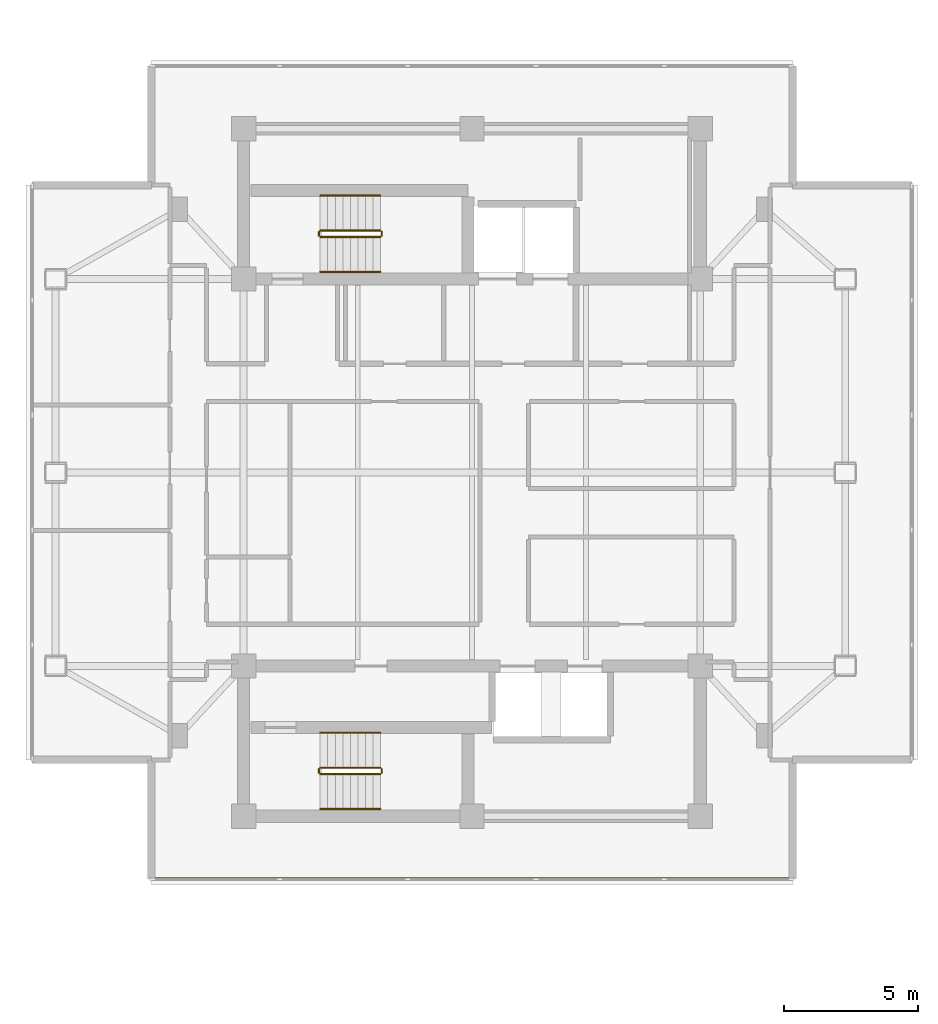
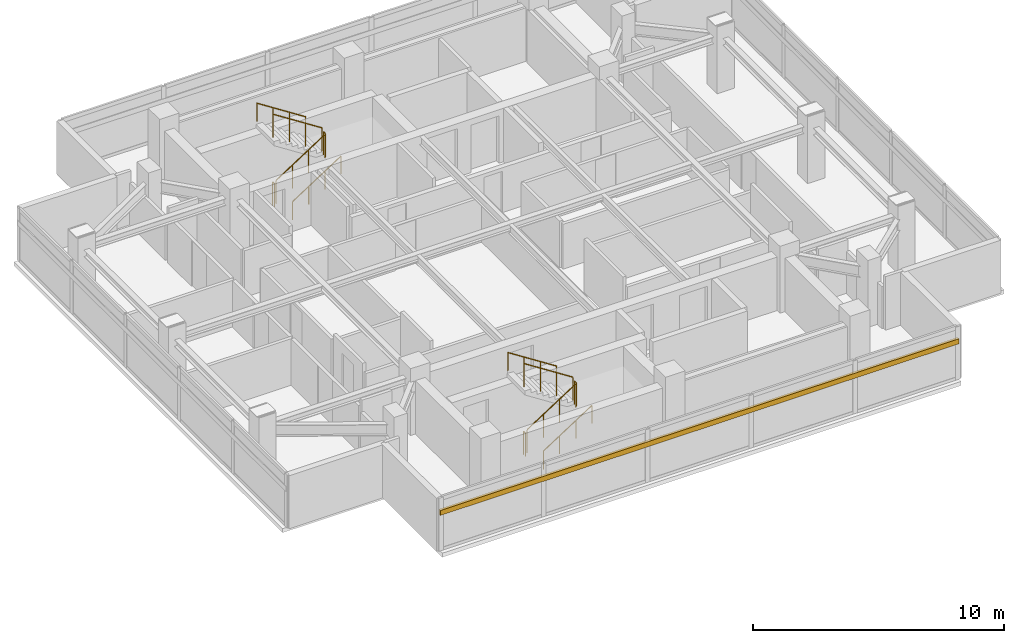
# One storey, part 20 of 21: 12 railings, 1 shading device.
"""IFC4 building model written with IfcOpenShell, lengths in metres."""

from ifc_helpers import new_model, si_unit, direction, frame, origin, origin_2d, place, context, subcontext, project, spatial, rectangle, circle, extrude, material, material_profile, profile_set, type_object, element, save


model = new_model("IFC4")

# Units and contexts
model_context = context("Model", 3, precision=1e-05, world=origin(), true_north=direction((0.0, 1.0)))
body_context = subcontext(model_context, "Body", "Model", "MODEL_VIEW")
ifc_project = project(units=[si_unit("LENGTHUNIT", "METRE"), si_unit("AREAUNIT", "SQUARE_METRE"), si_unit("VOLUMEUNIT", "CUBIC_METRE"), si_unit("PLANEANGLEUNIT", "RADIAN"), si_unit("MASSUNIT", "GRAM", prefix="KILO")], contexts=[model_context])

# Site, building, storey
site_placement = place(None, origin())
site = spatial("IfcSite", under=ifc_project, at=site_placement, CompositionType="ELEMENT")
building_placement = place(site_placement, origin())
building = spatial("IfcBuilding", under=site, at=building_placement, Name="Mirazonda Arch Towers", CompositionType="ELEMENT")
storey_placement = place(building_placement, frame((0.0, 0.0, 206.39990234375)))
storey = spatial("IfcBuildingStorey", under=building, at=storey_placement, Name="L59", CompositionType="ELEMENT", Elevation=206.39990234375)

# Shading device
ifc_material_1 = material(Name="Kiln-Fired Architectural Terracotta", Category="masonry")
ifc_material_profile = material_profile(ifc_material_1, rectangle(XDim=0.1201171875, YDim=0.239990234375, at=origin_2d()), Name="TERRA-BAG-120x240")
ifc_profile_set = profile_set([ifc_material_profile], Name="Kiln-Fired Architectural Terracotta")
shading_device_type = type_object("IfcShadingDeviceType", Name="BAGUETTE-1", PredefinedType="USERDEFINED", material=ifc_profile_set)
shading_device_placement = place(storey_placement, frame((88.437744140625, 12.861572265625, 1.857666015625), z_axis=(-1.0, 0.0, 0.0), x_axis=(0.0, -1.0, 0.0)))
element("IfcShadingDevice", 1, at=shading_device_placement, inside=storey, type_object=shading_device_type, Name="L59 Glazed Terracotta Sun-Screen Baguette CW-L59-T2-S", ObjectType="BAGUETTE", PredefinedType="USERDEFINED", context=body_context, shape_type="SweptSolid", body=[
    extrude(rectangle(XDim=0.1201171875, YDim=0.239990234375, at=origin_2d()), origin(), (0.0, 0.0, 1.0), 23.87548828125),
])

# Railings
ifc_material_2 = material(Name="Architectural Brushed Steel S355", Category="steel")
railing_type_1 = type_object("IfcRailingType", Name="GUARD-STAIR-1120", PredefinedType="GUARDRAIL", material=ifc_material_2)
railing_1_placement = place(storey_placement, frame((70.85009765625, 36.77001953125, 0.1806640625)))
element("IfcRailing", 2, at=railing_1_placement, inside=storey, type_object=railing_type_1, Name="L59 ST-T2N stair guard 1", PredefinedType="GUARDRAIL", context=body_context, shape_type="SweptSolid", body=[
    extrude(circle(Radius=0.02392578125, at=origin_2d()), frame((0.0, 0.0, 1.1259765625), z_axis=(0.840436612492, 0.0, 0.541909863706), x_axis=(0.0, 1.0, 0.0)), (0.0, 0.0, 1.0), 2.665283203125),
    extrude(circle(Radius=0.02099609375, at=origin_2d()), origin(), (0.0, 0.0, 1.0), 1.101806640625),
    extrude(circle(Radius=0.02099609375, at=origin_2d()), frame((0.74658203125, 0.0, 0.4814453125)), (0.0, 0.0, 1.0), 1.101806640625),
    extrude(circle(Radius=0.02099609375, at=origin_2d()), frame((1.493408203125, 0.0, 0.962890625)), (0.0, 0.0, 1.0), 1.101806640625),
    extrude(circle(Radius=0.02099609375, at=origin_2d()), frame((2.239990234375, 0.0, 1.4443359375)), (0.0, 0.0, 1.0), 1.101806640625),
])
railing_2_placement = place(storey_placement, frame((73.139892578125, 36.820068359375, 1.625)))
element("IfcRailing", 3, at=railing_2_placement, inside=storey, type_object=railing_type_1, Name="L59 ST-T2N stair guard 2", PredefinedType="GUARDRAIL", context=body_context, shape_type="SweptSolid", body=[
    extrude(circle(Radius=0.02392578125, at=origin_2d()), frame((0.0, 0.0, 1.1259765625), z_axis=(0.0, 1.0, 0.0), x_axis=(-1.0, 0.0, 0.0)), (0.0, 0.0, 1.0), 0.139892578125),
    extrude(circle(Radius=0.02099609375, at=origin_2d()), origin(), (0.0, 0.0, 1.0), 1.101806640625),
    extrude(circle(Radius=0.02099609375, at=origin_2d()), frame((0.0, 0.139892578125, 0.0)), (0.0, 0.0, 1.0), 1.101806640625),
])
railing_3_placement = place(storey_placement, frame((73.090087890625, 37.010009765625, 1.8056640625)))
element("IfcRailing", 4, at=railing_3_placement, inside=storey, type_object=railing_type_1, Name="L59 ST-T2N stair guard 3", PredefinedType="GUARDRAIL", context=body_context, shape_type="SweptSolid", body=[
    extrude(circle(Radius=0.02392578125, at=origin_2d()), frame((0.0, 0.0, 1.1259765625), z_axis=(-0.840436612492, 0.0, 0.541909863706), x_axis=(0.0, -1.0, 0.0)), (0.0, 0.0, 1.0), 2.665283203125),
    extrude(circle(Radius=0.02099609375, at=origin_2d()), origin(), (0.0, 0.0, 1.0), 1.101806640625),
    extrude(circle(Radius=0.02099609375, at=origin_2d()), frame((-0.74658203125, 0.0, 0.4814453125)), (0.0, 0.0, 1.0), 1.101806640625),
    extrude(circle(Radius=0.02099609375, at=origin_2d()), frame((-1.493408203125, 0.0, 0.962890625)), (0.0, 0.0, 1.0), 1.101806640625),
    extrude(circle(Radius=0.02099609375, at=origin_2d()), frame((-2.239990234375, 0.0, 1.4443359375)), (0.0, 0.0, 1.0), 1.101806640625),
])
railing_4_placement = place(storey_placement, frame((70.800048828125, 36.820068359375, 0.0)))
element("IfcRailing", 5, at=railing_4_placement, inside=storey, type_object=railing_type_1, Name="L59 ST-T2N stair guard 4", PredefinedType="GUARDRAIL", context=body_context, shape_type="SweptSolid", body=[
    extrude(circle(Radius=0.02392578125, at=origin_2d()), frame((0.0, 0.0, 1.1259765625), z_axis=(0.0, 1.0, 0.0), x_axis=(-1.0, 0.0, 0.0)), (0.0, 0.0, 1.0), 0.139892578125),
    extrude(circle(Radius=0.02099609375, at=origin_2d()), origin(), (0.0, 0.0, 1.0), 1.101806640625),
    extrude(circle(Radius=0.02099609375, at=origin_2d()), frame((0.0, 0.139892578125, 0.0)), (0.0, 0.0, 1.0), 1.101806640625),
])
railing_5_placement = place(storey_placement, frame((70.85009765625, 16.77001953125, 0.1806640625)))
element("IfcRailing", 6, at=railing_5_placement, inside=storey, type_object=railing_type_1, Name="L59 ST-T2S stair guard 1", PredefinedType="GUARDRAIL", context=body_context, shape_type="SweptSolid", body=[
    extrude(circle(Radius=0.02392578125, at=origin_2d()), frame((0.0, 0.0, 1.1259765625), z_axis=(0.840436612492, 0.0, 0.541909863706), x_axis=(0.0, 1.0, 0.0)), (0.0, 0.0, 1.0), 2.665283203125),
    extrude(circle(Radius=0.02099609375, at=origin_2d()), origin(), (0.0, 0.0, 1.0), 1.101806640625),
    extrude(circle(Radius=0.02099609375, at=origin_2d()), frame((0.74658203125, 0.0, 0.4814453125)), (0.0, 0.0, 1.0), 1.101806640625),
    extrude(circle(Radius=0.02099609375, at=origin_2d()), frame((1.493408203125, 0.0, 0.962890625)), (0.0, 0.0, 1.0), 1.101806640625),
    extrude(circle(Radius=0.02099609375, at=origin_2d()), frame((2.239990234375, 0.0, 1.4443359375)), (0.0, 0.0, 1.0), 1.101806640625),
])
railing_6_placement = place(storey_placement, frame((73.139892578125, 16.820068359375, 1.625)))
element("IfcRailing", 7, at=railing_6_placement, inside=storey, type_object=railing_type_1, Name="L59 ST-T2S stair guard 2", PredefinedType="GUARDRAIL", context=body_context, shape_type="SweptSolid", body=[
    extrude(circle(Radius=0.02392578125, at=origin_2d()), frame((0.0, 0.0, 1.1259765625), z_axis=(0.0, 1.0, 0.0), x_axis=(-1.0, 0.0, 0.0)), (0.0, 0.0, 1.0), 0.139892578125),
    extrude(circle(Radius=0.02099609375, at=origin_2d()), origin(), (0.0, 0.0, 1.0), 1.101806640625),
    extrude(circle(Radius=0.02099609375, at=origin_2d()), frame((0.0, 0.139892578125, 0.0)), (0.0, 0.0, 1.0), 1.101806640625),
])
railing_7_placement = place(storey_placement, frame((73.090087890625, 17.010009765625, 1.8056640625)))
element("IfcRailing", 8, at=railing_7_placement, inside=storey, type_object=railing_type_1, Name="L59 ST-T2S stair guard 3", PredefinedType="GUARDRAIL", context=body_context, shape_type="SweptSolid", body=[
    extrude(circle(Radius=0.02392578125, at=origin_2d()), frame((0.0, 0.0, 1.1259765625), z_axis=(-0.840436612492, 0.0, 0.541909863706), x_axis=(0.0, -1.0, 0.0)), (0.0, 0.0, 1.0), 2.665283203125),
    extrude(circle(Radius=0.02099609375, at=origin_2d()), origin(), (0.0, 0.0, 1.0), 1.101806640625),
    extrude(circle(Radius=0.02099609375, at=origin_2d()), frame((-0.74658203125, 0.0, 0.4814453125)), (0.0, 0.0, 1.0), 1.101806640625),
    extrude(circle(Radius=0.02099609375, at=origin_2d()), frame((-1.493408203125, 0.0, 0.962890625)), (0.0, 0.0, 1.0), 1.101806640625),
    extrude(circle(Radius=0.02099609375, at=origin_2d()), frame((-2.239990234375, 0.0, 1.4443359375)), (0.0, 0.0, 1.0), 1.101806640625),
])
railing_8_placement = place(storey_placement, frame((70.800048828125, 16.820068359375, 0.0)))
element("IfcRailing", 9, at=railing_8_placement, inside=storey, type_object=railing_type_1, Name="L59 ST-T2S stair guard 4", PredefinedType="GUARDRAIL", context=body_context, shape_type="SweptSolid", body=[
    extrude(circle(Radius=0.02392578125, at=origin_2d()), frame((0.0, 0.0, 1.1259765625), z_axis=(0.0, 1.0, 0.0), x_axis=(-1.0, 0.0, 0.0)), (0.0, 0.0, 1.0), 0.139892578125),
    extrude(circle(Radius=0.02099609375, at=origin_2d()), origin(), (0.0, 0.0, 1.0), 1.101806640625),
    extrude(circle(Radius=0.02099609375, at=origin_2d()), frame((0.0, 0.139892578125, 0.0)), (0.0, 0.0, 1.0), 1.101806640625),
])
railing_type_2 = type_object("IfcRailingType", Name="HANDRAIL-915", PredefinedType="HANDRAIL", material=ifc_material_2)
railing_9_placement = place(storey_placement, frame((70.85009765625, 35.469970703125, 0.1806640625)))
element("IfcRailing", 10, at=railing_9_placement, inside=storey, type_object=railing_type_2, Name="L59 ST-T2N stair handrail 1", PredefinedType="HANDRAIL", context=body_context, shape_type="SweptSolid", body=[
    extrude(circle(Radius=0.02392578125, at=origin_2d()), frame((0.0, 0.0, 0.8759765625), z_axis=(0.840436612492, 0.0, 0.541909863706), x_axis=(0.0, 1.0, 0.0)), (0.0, 0.0, 1.0), 2.665283203125),
    extrude(circle(Radius=0.02099609375, at=origin_2d()), origin(), (0.0, 0.0, 1.0), 0.851806640625),
    extrude(circle(Radius=0.02099609375, at=origin_2d()), frame((0.74658203125, 0.0, 0.4814453125)), (0.0, 0.0, 1.0), 0.851806640625),
    extrude(circle(Radius=0.02099609375, at=origin_2d()), frame((1.493408203125, 0.0, 0.962890625)), (0.0, 0.0, 1.0), 0.851806640625),
    extrude(circle(Radius=0.02099609375, at=origin_2d()), frame((2.239990234375, 0.0, 1.4443359375)), (0.0, 0.0, 1.0), 0.851806640625),
])
railing_10_placement = place(storey_placement, frame((73.090087890625, 38.31005859375, 1.8056640625)))
element("IfcRailing", 11, at=railing_10_placement, inside=storey, type_object=railing_type_2, Name="L59 ST-T2N stair handrail 2", PredefinedType="HANDRAIL", context=body_context, shape_type="SweptSolid", body=[
    extrude(circle(Radius=0.02392578125, at=origin_2d()), frame((0.0, 0.0, 0.8759765625), z_axis=(-0.840436612492, 0.0, 0.541909863706), x_axis=(0.0, -1.0, 0.0)), (0.0, 0.0, 1.0), 2.665283203125),
    extrude(circle(Radius=0.02099609375, at=origin_2d()), origin(), (0.0, 0.0, 1.0), 0.851806640625),
    extrude(circle(Radius=0.02099609375, at=origin_2d()), frame((-0.74658203125, 0.0, 0.4814453125)), (0.0, 0.0, 1.0), 0.851806640625),
    extrude(circle(Radius=0.02099609375, at=origin_2d()), frame((-1.493408203125, 0.0, 0.962890625)), (0.0, 0.0, 1.0), 0.851806640625),
    extrude(circle(Radius=0.02099609375, at=origin_2d()), frame((-2.239990234375, 0.0, 1.4443359375)), (0.0, 0.0, 1.0), 0.851806640625),
])
railing_11_placement = place(storey_placement, frame((70.85009765625, 15.469970703125, 0.1806640625)))
element("IfcRailing", 12, at=railing_11_placement, inside=storey, type_object=railing_type_2, Name="L59 ST-T2S stair handrail 1", PredefinedType="HANDRAIL", context=body_context, shape_type="SweptSolid", body=[
    extrude(circle(Radius=0.02392578125, at=origin_2d()), frame((0.0, 0.0, 0.8759765625), z_axis=(0.840436612492, 0.0, 0.541909863706), x_axis=(0.0, 1.0, 0.0)), (0.0, 0.0, 1.0), 2.665283203125),
    extrude(circle(Radius=0.02099609375, at=origin_2d()), origin(), (0.0, 0.0, 1.0), 0.851806640625),
    extrude(circle(Radius=0.02099609375, at=origin_2d()), frame((0.74658203125, 0.0, 0.4814453125)), (0.0, 0.0, 1.0), 0.851806640625),
    extrude(circle(Radius=0.02099609375, at=origin_2d()), frame((1.493408203125, 0.0, 0.962890625)), (0.0, 0.0, 1.0), 0.851806640625),
    extrude(circle(Radius=0.02099609375, at=origin_2d()), frame((2.239990234375, 0.0, 1.4443359375)), (0.0, 0.0, 1.0), 0.851806640625),
])
railing_12_placement = place(storey_placement, frame((73.090087890625, 18.31005859375, 1.8056640625)))
element("IfcRailing", 13, at=railing_12_placement, inside=storey, type_object=railing_type_2, Name="L59 ST-T2S stair handrail 2", PredefinedType="HANDRAIL", context=body_context, shape_type="SweptSolid", body=[
    extrude(circle(Radius=0.02392578125, at=origin_2d()), frame((0.0, 0.0, 0.8759765625), z_axis=(-0.840436612492, 0.0, 0.541909863706), x_axis=(0.0, -1.0, 0.0)), (0.0, 0.0, 1.0), 2.665283203125),
    extrude(circle(Radius=0.02099609375, at=origin_2d()), origin(), (0.0, 0.0, 1.0), 0.851806640625),
    extrude(circle(Radius=0.02099609375, at=origin_2d()), frame((-0.74658203125, 0.0, 0.4814453125)), (0.0, 0.0, 1.0), 0.851806640625),
    extrude(circle(Radius=0.02099609375, at=origin_2d()), frame((-1.493408203125, 0.0, 0.962890625)), (0.0, 0.0, 1.0), 0.851806640625),
    extrude(circle(Radius=0.02099609375, at=origin_2d()), frame((-2.239990234375, 0.0, 1.4443359375)), (0.0, 0.0, 1.0), 0.851806640625),
])

save(model, "model.ifc")
